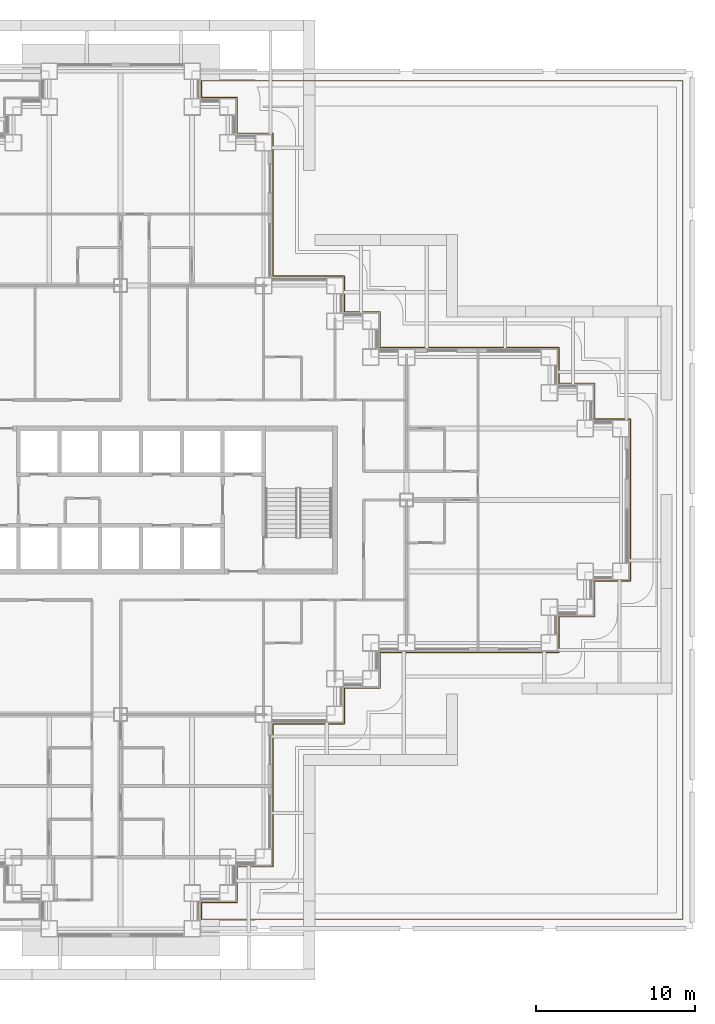
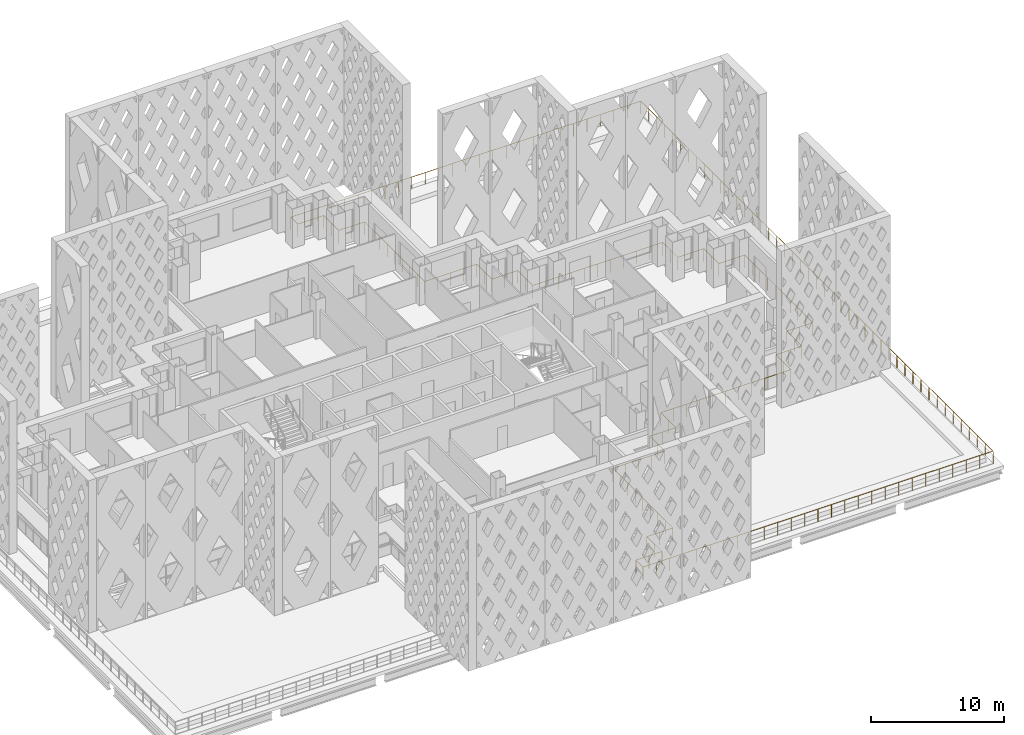
# One storey, part 21 of 26: 1 railing.
"""IFC4 building model written with IfcOpenShell, lengths in metres."""

from ifc_helpers import new_model, si_unit, direction, frame, origin, origin_2d, place, context, subcontext, project, spatial, circle, extrude, material, type_object, element, save


model = new_model("IFC4")

# Units and contexts
model_context = context("Model", 3, precision=1e-05, world=origin(), true_north=direction((0.0, 1.0)))
body_context = subcontext(model_context, "Body", "Model", "MODEL_VIEW")
ifc_project = project(units=[si_unit("LENGTHUNIT", "METRE"), si_unit("AREAUNIT", "SQUARE_METRE"), si_unit("VOLUMEUNIT", "CUBIC_METRE"), si_unit("PLANEANGLEUNIT", "RADIAN"), si_unit("MASSUNIT", "GRAM", prefix="KILO")], contexts=[model_context])

# Site, building, storey
site_placement = place(None, origin())
site = spatial("IfcSite", under=ifc_project, at=site_placement, CompositionType="ELEMENT")
building_placement = place(site_placement, origin())
building = spatial("IfcBuilding", under=site, at=building_placement, Name="Caravel Reach Hotel and Residences", CompositionType="ELEMENT")
storey_placement = place(building_placement, frame((0.0, 0.0, 33.60009765625)))
storey = spatial("IfcBuildingStorey", under=building, at=storey_placement, Name="L06", CompositionType="ELEMENT", Elevation=33.60009765625)

# Railing
ifc_material = material(Name="Stainless steel S30408", Category="steel")
railing_type = type_object("IfcRailingType", Name="G1 Guard 1200 stainless", PredefinedType="GUARDRAIL", material=ifc_material)
railing_placement = place(storey_placement, frame((66.89990234375, 53.39990234375, 0.0)))
element("IfcRailing", 1, at=railing_placement, inside=storey, type_object=railing_type, Name="Guard podium terrace 1", PredefinedType="GUARDRAIL", context=body_context, shape_type="SweptSolid", body=[
    extrude(circle(Radius=0.02392578125, at=origin_2d()), frame((0.0, 0.0, 1.17578125), z_axis=(0.0, -1.0, 0.0), x_axis=(1.0, 0.0, 0.0)), (0.0, 0.0, 1.0), 52.7998046875),
    extrude(circle(Radius=0.02392578125, at=origin_2d()), frame((0.0, -52.7998046875, 1.17578125), z_axis=(-1.0, 0.0, 0.0), x_axis=(0.0, -1.0, 0.0)), (0.0, 0.0, 1.0), 30.2998046875),
    extrude(circle(Radius=0.02392578125, at=origin_2d()), frame((-30.2998046875, -52.7998046875, 1.17578125), z_axis=(0.0, 1.0, 0.0), x_axis=(-1.0, 0.0, 0.0)), (0.0, 0.0, 1.0), 1.0498046875),
    extrude(circle(Radius=0.02392578125, at=origin_2d()), frame((-30.2998046875, -51.75, 1.17578125), z_axis=(1.0, 0.0, 0.0), x_axis=(0.0, 1.0, 0.0)), (0.0, 0.0, 1.0), 2.25),
    extrude(circle(Radius=0.02392578125, at=origin_2d()), frame((-28.0498046875, -51.75, 1.17578125), z_axis=(0.0, 1.0, 0.0), x_axis=(-1.0, 0.0, 0.0)), (0.0, 0.0, 1.0), 2.25),
    extrude(circle(Radius=0.02392578125, at=origin_2d()), frame((-28.0498046875, -49.5, 1.17578125), z_axis=(1.0, 0.0, 0.0), x_axis=(0.0, 1.0, 0.0)), (0.0, 0.0, 1.0), 2.25),
    extrude(circle(Radius=0.02392578125, at=origin_2d()), frame((-25.7998046875, -49.5, 1.17578125), z_axis=(0.0, 1.0, 0.0), x_axis=(-1.0, 0.0, 0.0)), (0.0, 0.0, 1.0), 9.0),
    extrude(circle(Radius=0.02392578125, at=origin_2d()), frame((-25.7998046875, -40.5, 1.17578125), z_axis=(1.0, 0.0, 0.0), x_axis=(0.0, 1.0, 0.0)), (0.0, 0.0, 1.0), 4.5),
    extrude(circle(Radius=0.02392578125, at=origin_2d()), frame((-21.2998046875, -40.5, 1.17578125), z_axis=(0.0, 1.0, 0.0), x_axis=(-1.0, 0.0, 0.0)), (0.0, 0.0, 1.0), 2.25),
    extrude(circle(Radius=0.02392578125, at=origin_2d()), frame((-21.2998046875, -38.25, 1.17578125), z_axis=(1.0, 0.0, 0.0), x_axis=(0.0, 1.0, 0.0)), (0.0, 0.0, 1.0), 2.25),
    extrude(circle(Radius=0.02392578125, at=origin_2d()), frame((-19.0498046875, -38.25, 1.17578125), z_axis=(0.0, 1.0, 0.0), x_axis=(-1.0, 0.0, 0.0)), (0.0, 0.0, 1.0), 2.25),
    extrude(circle(Radius=0.02392578125, at=origin_2d()), frame((-19.0498046875, -36.0, 1.17578125), z_axis=(1.0, 0.0, 0.0), x_axis=(0.0, 1.0, 0.0)), (0.0, 0.0, 1.0), 11.25),
    extrude(circle(Radius=0.02392578125, at=origin_2d()), frame((-7.7998046875, -36.0, 1.17578125), z_axis=(0.0, 1.0, 0.0), x_axis=(-1.0, 0.0, 0.0)), (0.0, 0.0, 1.0), 2.25),
    extrude(circle(Radius=0.02392578125, at=origin_2d()), frame((-7.7998046875, -33.75, 1.17578125), z_axis=(1.0, 0.0, 0.0), x_axis=(0.0, 1.0, 0.0)), (0.0, 0.0, 1.0), 2.25),
    extrude(circle(Radius=0.02392578125, at=origin_2d()), frame((-5.5498046875, -33.75, 1.17578125), z_axis=(0.0, 1.0, 0.0), x_axis=(-1.0, 0.0, 0.0)), (0.0, 0.0, 1.0), 2.25),
    extrude(circle(Radius=0.02392578125, at=origin_2d()), frame((-5.5498046875, -31.5, 1.17578125), z_axis=(1.0, 0.0, 0.0), x_axis=(0.0, 1.0, 0.0)), (0.0, 0.0, 1.0), 2.25),
    extrude(circle(Radius=0.02392578125, at=origin_2d()), frame((-3.2998046875, -31.5, 1.17578125), z_axis=(0.0, 1.0, 0.0), x_axis=(-1.0, 0.0, 0.0)), (0.0, 0.0, 1.0), 10.2001953125),
    extrude(circle(Radius=0.02392578125, at=origin_2d()), frame((-3.2998046875, -21.2998046875, 1.17578125), z_axis=(-1.0, 0.0, 0.0), x_axis=(0.0, -1.0, 0.0)), (0.0, 0.0, 1.0), 2.25),
    extrude(circle(Radius=0.02392578125, at=origin_2d()), frame((-5.5498046875, -21.2998046875, 1.17578125), z_axis=(0.0, 1.0, 0.0), x_axis=(-1.0, 0.0, 0.0)), (0.0, 0.0, 1.0), 2.25),
    extrude(circle(Radius=0.02392578125, at=origin_2d()), frame((-5.5498046875, -19.0498046875, 1.17578125), z_axis=(-1.0, 0.0, 0.0), x_axis=(0.0, -1.0, 0.0)), (0.0, 0.0, 1.0), 2.25),
    extrude(circle(Radius=0.02392578125, at=origin_2d()), frame((-7.7998046875, -19.0498046875, 1.17578125), z_axis=(0.0, 1.0, 0.0), x_axis=(-1.0, 0.0, 0.0)), (0.0, 0.0, 1.0), 2.25),
    extrude(circle(Radius=0.02392578125, at=origin_2d()), frame((-7.7998046875, -16.7998046875, 1.17578125), z_axis=(-1.0, 0.0, 0.0), x_axis=(0.0, -1.0, 0.0)), (0.0, 0.0, 1.0), 11.25),
    extrude(circle(Radius=0.02392578125, at=origin_2d()), frame((-19.0498046875, -16.7998046875, 1.17578125), z_axis=(0.0, 1.0, 0.0), x_axis=(-1.0, 0.0, 0.0)), (0.0, 0.0, 1.0), 2.25),
    extrude(circle(Radius=0.02392578125, at=origin_2d()), frame((-19.0498046875, -14.5498046875, 1.17578125), z_axis=(-1.0, 0.0, 0.0), x_axis=(0.0, -1.0, 0.0)), (0.0, 0.0, 1.0), 2.25),
    extrude(circle(Radius=0.02392578125, at=origin_2d()), frame((-21.2998046875, -14.5498046875, 1.17578125), z_axis=(0.0, 1.0, 0.0), x_axis=(-1.0, 0.0, 0.0)), (0.0, 0.0, 1.0), 2.25),
    extrude(circle(Radius=0.02392578125, at=origin_2d()), frame((-21.2998046875, -12.2998046875, 1.17578125), z_axis=(-1.0, 0.0, 0.0), x_axis=(0.0, -1.0, 0.0)), (0.0, 0.0, 1.0), 4.5),
    extrude(circle(Radius=0.02392578125, at=origin_2d()), frame((-25.7998046875, -12.2998046875, 1.17578125), z_axis=(0.0, 1.0, 0.0), x_axis=(-1.0, 0.0, 0.0)), (0.0, 0.0, 1.0), 9.0),
    extrude(circle(Radius=0.02392578125, at=origin_2d()), frame((-25.7998046875, -3.2998046875, 1.17578125), z_axis=(-1.0, 0.0, 0.0), x_axis=(0.0, -1.0, 0.0)), (0.0, 0.0, 1.0), 2.25),
    extrude(circle(Radius=0.02392578125, at=origin_2d()), frame((-28.0498046875, -3.2998046875, 1.17578125), z_axis=(0.0, 1.0, 0.0), x_axis=(-1.0, 0.0, 0.0)), (0.0, 0.0, 1.0), 2.25),
    extrude(circle(Radius=0.02392578125, at=origin_2d()), frame((-28.0498046875, -1.0498046875, 1.17578125), z_axis=(-1.0, 0.0, 0.0), x_axis=(0.0, -1.0, 0.0)), (0.0, 0.0, 1.0), 2.25),
    extrude(circle(Radius=0.02392578125, at=origin_2d()), frame((-30.2998046875, -1.0498046875, 1.17578125), z_axis=(0.0, 1.0, 0.0), x_axis=(-1.0, 0.0, 0.0)), (0.0, 0.0, 1.0), 1.0498046875),
    extrude(circle(Radius=0.02392578125, at=origin_2d()), frame((-30.2998046875, 0.0, 1.17578125), z_axis=(1.0, 0.0, 0.0), x_axis=(0.0, 1.0, 0.0)), (0.0, 0.0, 1.0), 30.2998046875),
    extrude(circle(Radius=0.02099609375, at=origin_2d()), origin(), (0.0, 0.0, 1.0), 1.15185546875),
    extrude(circle(Radius=0.02099609375, at=origin_2d()), frame((0.0, -1.199951171875, 0.0)), (0.0, 0.0, 1.0), 1.15185546875),
    extrude(circle(Radius=0.02099609375, at=origin_2d()), frame((0.0, -2.39990234375, 0.0)), (0.0, 0.0, 1.0), 1.15185546875),
    extrude(circle(Radius=0.02099609375, at=origin_2d()), frame((0.0, -3.60009765625, 0.0)), (0.0, 0.0, 1.0), 1.15185546875),
    extrude(circle(Radius=0.02099609375, at=origin_2d()), frame((0.0, -4.800048828125, 0.0)), (0.0, 0.0, 1.0), 1.15185546875),
    extrude(circle(Radius=0.02099609375, at=origin_2d()), frame((0.0, -6.0, 0.0)), (0.0, 0.0, 1.0), 1.15185546875),
    extrude(circle(Radius=0.02099609375, at=origin_2d()), frame((0.0, -7.199951171875, 0.0)), (0.0, 0.0, 1.0), 1.15185546875),
    extrude(circle(Radius=0.02099609375, at=origin_2d()), frame((0.0, -8.39990234375, 0.0)), (0.0, 0.0, 1.0), 1.15185546875),
    extrude(circle(Radius=0.02099609375, at=origin_2d()), frame((0.0, -9.599853515625, 0.0)), (0.0, 0.0, 1.0), 1.15185546875),
    extrude(circle(Radius=0.02099609375, at=origin_2d()), frame((0.0, -10.800048828125, 0.0)), (0.0, 0.0, 1.0), 1.15185546875),
    extrude(circle(Radius=0.02099609375, at=origin_2d()), frame((0.0, -12.0, 0.0)), (0.0, 0.0, 1.0), 1.15185546875),
    extrude(circle(Radius=0.02099609375, at=origin_2d()), frame((0.0, -13.199951171875, 0.0)), (0.0, 0.0, 1.0), 1.15185546875),
    extrude(circle(Radius=0.02099609375, at=origin_2d()), frame((0.0, -14.39990234375, 0.0)), (0.0, 0.0, 1.0), 1.15185546875),
    extrude(circle(Radius=0.02099609375, at=origin_2d()), frame((0.0, -15.599853515625, 0.0)), (0.0, 0.0, 1.0), 1.15185546875),
    extrude(circle(Radius=0.02099609375, at=origin_2d()), frame((0.0, -16.800048828125, 0.0)), (0.0, 0.0, 1.0), 1.15185546875),
    extrude(circle(Radius=0.02099609375, at=origin_2d()), frame((0.0, -18.0, 0.0)), (0.0, 0.0, 1.0), 1.15185546875),
    extrude(circle(Radius=0.02099609375, at=origin_2d()), frame((0.0, -19.199951171875, 0.0)), (0.0, 0.0, 1.0), 1.15185546875),
    extrude(circle(Radius=0.02099609375, at=origin_2d()), frame((0.0, -20.39990234375, 0.0)), (0.0, 0.0, 1.0), 1.15185546875),
    extrude(circle(Radius=0.02099609375, at=origin_2d()), frame((0.0, -21.599853515625, 0.0)), (0.0, 0.0, 1.0), 1.15185546875),
    extrude(circle(Radius=0.02099609375, at=origin_2d()), frame((0.0, -22.7998046875, 0.0)), (0.0, 0.0, 1.0), 1.15185546875),
    extrude(circle(Radius=0.02099609375, at=origin_2d()), frame((0.0, -24.0, 0.0)), (0.0, 0.0, 1.0), 1.15185546875),
    extrude(circle(Radius=0.02099609375, at=origin_2d()), frame((0.0, -25.199951171875, 0.0)), (0.0, 0.0, 1.0), 1.15185546875),
    extrude(circle(Radius=0.02099609375, at=origin_2d()), frame((0.0, -26.39990234375, 0.0)), (0.0, 0.0, 1.0), 1.15185546875),
    extrude(circle(Radius=0.02099609375, at=origin_2d()), frame((0.0, -27.599853515625, 0.0)), (0.0, 0.0, 1.0), 1.15185546875),
    extrude(circle(Radius=0.02099609375, at=origin_2d()), frame((0.0, -28.7998046875, 0.0)), (0.0, 0.0, 1.0), 1.15185546875),
    extrude(circle(Radius=0.02099609375, at=origin_2d()), frame((0.0, -30.0, 0.0)), (0.0, 0.0, 1.0), 1.15185546875),
    extrude(circle(Radius=0.02099609375, at=origin_2d()), frame((0.0, -31.199951171875, 0.0)), (0.0, 0.0, 1.0), 1.15185546875),
    extrude(circle(Radius=0.02099609375, at=origin_2d()), frame((0.0, -32.39990234375, 0.0)), (0.0, 0.0, 1.0), 1.15185546875),
    extrude(circle(Radius=0.02099609375, at=origin_2d()), frame((0.0, -33.599853515625, 0.0)), (0.0, 0.0, 1.0), 1.15185546875),
    extrude(circle(Radius=0.02099609375, at=origin_2d()), frame((0.0, -34.7998046875, 0.0)), (0.0, 0.0, 1.0), 1.15185546875),
    extrude(circle(Radius=0.02099609375, at=origin_2d()), frame((0.0, -35.999755859375, 0.0)), (0.0, 0.0, 1.0), 1.15185546875),
    extrude(circle(Radius=0.02099609375, at=origin_2d()), frame((0.0, -37.199951171875, 0.0)), (0.0, 0.0, 1.0), 1.15185546875),
    extrude(circle(Radius=0.02099609375, at=origin_2d()), frame((0.0, -38.39990234375, 0.0)), (0.0, 0.0, 1.0), 1.15185546875),
    extrude(circle(Radius=0.02099609375, at=origin_2d()), frame((0.0, -39.599853515625, 0.0)), (0.0, 0.0, 1.0), 1.15185546875),
    extrude(circle(Radius=0.02099609375, at=origin_2d()), frame((0.0, -40.7998046875, 0.0)), (0.0, 0.0, 1.0), 1.15185546875),
    extrude(circle(Radius=0.02099609375, at=origin_2d()), frame((0.0, -41.999755859375, 0.0)), (0.0, 0.0, 1.0), 1.15185546875),
    extrude(circle(Radius=0.02099609375, at=origin_2d()), frame((0.0, -43.199951171875, 0.0)), (0.0, 0.0, 1.0), 1.15185546875),
    extrude(circle(Radius=0.02099609375, at=origin_2d()), frame((0.0, -44.39990234375, 0.0)), (0.0, 0.0, 1.0), 1.15185546875),
    extrude(circle(Radius=0.02099609375, at=origin_2d()), frame((0.0, -45.599853515625, 0.0)), (0.0, 0.0, 1.0), 1.15185546875),
    extrude(circle(Radius=0.02099609375, at=origin_2d()), frame((0.0, -46.7998046875, 0.0)), (0.0, 0.0, 1.0), 1.15185546875),
    extrude(circle(Radius=0.02099609375, at=origin_2d()), frame((0.0, -47.999755859375, 0.0)), (0.0, 0.0, 1.0), 1.15185546875),
    extrude(circle(Radius=0.02099609375, at=origin_2d()), frame((0.0, -49.19970703125, 0.0)), (0.0, 0.0, 1.0), 1.15185546875),
    extrude(circle(Radius=0.02099609375, at=origin_2d()), frame((0.0, -50.39990234375, 0.0)), (0.0, 0.0, 1.0), 1.15185546875),
    extrude(circle(Radius=0.02099609375, at=origin_2d()), frame((0.0, -51.599853515625, 0.0)), (0.0, 0.0, 1.0), 1.15185546875),
    extrude(circle(Radius=0.02099609375, at=origin_2d()), frame((0.0, -52.7998046875, 0.0)), (0.0, 0.0, 1.0), 1.15185546875),
    extrude(circle(Radius=0.02099609375, at=origin_2d()), frame((-1.165283203125, -52.7998046875, 0.0)), (0.0, 0.0, 1.0), 1.15185546875),
    extrude(circle(Radius=0.02099609375, at=origin_2d()), frame((-2.330810546875, -52.7998046875, 0.0)), (0.0, 0.0, 1.0), 1.15185546875),
    extrude(circle(Radius=0.02099609375, at=origin_2d()), frame((-3.49609375, -52.7998046875, 0.0)), (0.0, 0.0, 1.0), 1.15185546875),
    extrude(circle(Radius=0.02099609375, at=origin_2d()), frame((-4.66162109375, -52.7998046875, 0.0)), (0.0, 0.0, 1.0), 1.15185546875),
    extrude(circle(Radius=0.02099609375, at=origin_2d()), frame((-5.826904296875, -52.7998046875, 0.0)), (0.0, 0.0, 1.0), 1.15185546875),
    extrude(circle(Radius=0.02099609375, at=origin_2d()), frame((-6.9921875, -52.7998046875, 0.0)), (0.0, 0.0, 1.0), 1.15185546875),
    extrude(circle(Radius=0.02099609375, at=origin_2d()), frame((-8.15771484375, -52.7998046875, 0.0)), (0.0, 0.0, 1.0), 1.15185546875),
    extrude(circle(Radius=0.02099609375, at=origin_2d()), frame((-9.322998046875, -52.7998046875, 0.0)), (0.0, 0.0, 1.0), 1.15185546875),
    extrude(circle(Radius=0.02099609375, at=origin_2d()), frame((-10.48828125, -52.7998046875, 0.0)), (0.0, 0.0, 1.0), 1.15185546875),
    extrude(circle(Radius=0.02099609375, at=origin_2d()), frame((-11.65380859375, -52.7998046875, 0.0)), (0.0, 0.0, 1.0), 1.15185546875),
    extrude(circle(Radius=0.02099609375, at=origin_2d()), frame((-12.819091796875, -52.7998046875, 0.0)), (0.0, 0.0, 1.0), 1.15185546875),
    extrude(circle(Radius=0.02099609375, at=origin_2d()), frame((-13.984619140625, -52.7998046875, 0.0)), (0.0, 0.0, 1.0), 1.15185546875),
    extrude(circle(Radius=0.02099609375, at=origin_2d()), frame((-15.14990234375, -52.7998046875, 0.0)), (0.0, 0.0, 1.0), 1.15185546875),
    extrude(circle(Radius=0.02099609375, at=origin_2d()), frame((-16.315185546875, -52.7998046875, 0.0)), (0.0, 0.0, 1.0), 1.15185546875),
    extrude(circle(Radius=0.02099609375, at=origin_2d()), frame((-17.480712890625, -52.7998046875, 0.0)), (0.0, 0.0, 1.0), 1.15185546875),
    extrude(circle(Radius=0.02099609375, at=origin_2d()), frame((-18.64599609375, -52.7998046875, 0.0)), (0.0, 0.0, 1.0), 1.15185546875),
    extrude(circle(Radius=0.02099609375, at=origin_2d()), frame((-19.8115234375, -52.7998046875, 0.0)), (0.0, 0.0, 1.0), 1.15185546875),
    extrude(circle(Radius=0.02099609375, at=origin_2d()), frame((-20.976806640625, -52.7998046875, 0.0)), (0.0, 0.0, 1.0), 1.15185546875),
    extrude(circle(Radius=0.02099609375, at=origin_2d()), frame((-22.14208984375, -52.7998046875, 0.0)), (0.0, 0.0, 1.0), 1.15185546875),
    extrude(circle(Radius=0.02099609375, at=origin_2d()), frame((-23.3076171875, -52.7998046875, 0.0)), (0.0, 0.0, 1.0), 1.15185546875),
    extrude(circle(Radius=0.02099609375, at=origin_2d()), frame((-24.472900390625, -52.7998046875, 0.0)), (0.0, 0.0, 1.0), 1.15185546875),
    extrude(circle(Radius=0.02099609375, at=origin_2d()), frame((-25.63818359375, -52.7998046875, 0.0)), (0.0, 0.0, 1.0), 1.15185546875),
    extrude(circle(Radius=0.02099609375, at=origin_2d()), frame((-26.8037109375, -52.7998046875, 0.0)), (0.0, 0.0, 1.0), 1.15185546875),
    extrude(circle(Radius=0.02099609375, at=origin_2d()), frame((-27.968994140625, -52.7998046875, 0.0)), (0.0, 0.0, 1.0), 1.15185546875),
    extrude(circle(Radius=0.02099609375, at=origin_2d()), frame((-29.134521484375, -52.7998046875, 0.0)), (0.0, 0.0, 1.0), 1.15185546875),
    extrude(circle(Radius=0.02099609375, at=origin_2d()), frame((-30.2998046875, -52.7998046875, 0.0)), (0.0, 0.0, 1.0), 1.15185546875),
    extrude(circle(Radius=0.02099609375, at=origin_2d()), frame((-30.2998046875, -51.75, 0.0)), (0.0, 0.0, 1.0), 1.15185546875),
    extrude(circle(Radius=0.02099609375, at=origin_2d()), frame((-29.1748046875, -51.75, 0.0)), (0.0, 0.0, 1.0), 1.15185546875),
    extrude(circle(Radius=0.02099609375, at=origin_2d()), frame((-28.0498046875, -51.75, 0.0)), (0.0, 0.0, 1.0), 1.15185546875),
    extrude(circle(Radius=0.02099609375, at=origin_2d()), frame((-28.0498046875, -50.625, 0.0)), (0.0, 0.0, 1.0), 1.15185546875),
    extrude(circle(Radius=0.02099609375, at=origin_2d()), frame((-28.0498046875, -49.5, 0.0)), (0.0, 0.0, 1.0), 1.15185546875),
    extrude(circle(Radius=0.02099609375, at=origin_2d()), frame((-26.9248046875, -49.5, 0.0)), (0.0, 0.0, 1.0), 1.15185546875),
    extrude(circle(Radius=0.02099609375, at=origin_2d()), frame((-25.7998046875, -49.5, 0.0)), (0.0, 0.0, 1.0), 1.15185546875),
    extrude(circle(Radius=0.02099609375, at=origin_2d()), frame((-25.7998046875, -48.375, 0.0)), (0.0, 0.0, 1.0), 1.15185546875),
    extrude(circle(Radius=0.02099609375, at=origin_2d()), frame((-25.7998046875, -47.25, 0.0)), (0.0, 0.0, 1.0), 1.15185546875),
    extrude(circle(Radius=0.02099609375, at=origin_2d()), frame((-25.7998046875, -46.125, 0.0)), (0.0, 0.0, 1.0), 1.15185546875),
    extrude(circle(Radius=0.02099609375, at=origin_2d()), frame((-25.7998046875, -45.0, 0.0)), (0.0, 0.0, 1.0), 1.15185546875),
    extrude(circle(Radius=0.02099609375, at=origin_2d()), frame((-25.7998046875, -43.875, 0.0)), (0.0, 0.0, 1.0), 1.15185546875),
    extrude(circle(Radius=0.02099609375, at=origin_2d()), frame((-25.7998046875, -42.75, 0.0)), (0.0, 0.0, 1.0), 1.15185546875),
    extrude(circle(Radius=0.02099609375, at=origin_2d()), frame((-25.7998046875, -41.625, 0.0)), (0.0, 0.0, 1.0), 1.15185546875),
    extrude(circle(Radius=0.02099609375, at=origin_2d()), frame((-25.7998046875, -40.5, 0.0)), (0.0, 0.0, 1.0), 1.15185546875),
    extrude(circle(Radius=0.02099609375, at=origin_2d()), frame((-24.6748046875, -40.5, 0.0)), (0.0, 0.0, 1.0), 1.15185546875),
    extrude(circle(Radius=0.02099609375, at=origin_2d()), frame((-23.5498046875, -40.5, 0.0)), (0.0, 0.0, 1.0), 1.15185546875),
    extrude(circle(Radius=0.02099609375, at=origin_2d()), frame((-22.4248046875, -40.5, 0.0)), (0.0, 0.0, 1.0), 1.15185546875),
    extrude(circle(Radius=0.02099609375, at=origin_2d()), frame((-21.2998046875, -40.5, 0.0)), (0.0, 0.0, 1.0), 1.15185546875),
    extrude(circle(Radius=0.02099609375, at=origin_2d()), frame((-21.2998046875, -39.375, 0.0)), (0.0, 0.0, 1.0), 1.15185546875),
    extrude(circle(Radius=0.02099609375, at=origin_2d()), frame((-21.2998046875, -38.25, 0.0)), (0.0, 0.0, 1.0), 1.15185546875),
    extrude(circle(Radius=0.02099609375, at=origin_2d()), frame((-20.1748046875, -38.25, 0.0)), (0.0, 0.0, 1.0), 1.15185546875),
    extrude(circle(Radius=0.02099609375, at=origin_2d()), frame((-19.0498046875, -38.25, 0.0)), (0.0, 0.0, 1.0), 1.15185546875),
    extrude(circle(Radius=0.02099609375, at=origin_2d()), frame((-19.0498046875, -37.125, 0.0)), (0.0, 0.0, 1.0), 1.15185546875),
    extrude(circle(Radius=0.02099609375, at=origin_2d()), frame((-19.0498046875, -36.0, 0.0)), (0.0, 0.0, 1.0), 1.15185546875),
    extrude(circle(Radius=0.02099609375, at=origin_2d()), frame((-17.9248046875, -36.0, 0.0)), (0.0, 0.0, 1.0), 1.15185546875),
    extrude(circle(Radius=0.02099609375, at=origin_2d()), frame((-16.7998046875, -36.0, 0.0)), (0.0, 0.0, 1.0), 1.15185546875),
    extrude(circle(Radius=0.02099609375, at=origin_2d()), frame((-15.6748046875, -36.0, 0.0)), (0.0, 0.0, 1.0), 1.15185546875),
    extrude(circle(Radius=0.02099609375, at=origin_2d()), frame((-14.5498046875, -36.0, 0.0)), (0.0, 0.0, 1.0), 1.15185546875),
    extrude(circle(Radius=0.02099609375, at=origin_2d()), frame((-13.4248046875, -36.0, 0.0)), (0.0, 0.0, 1.0), 1.15185546875),
    extrude(circle(Radius=0.02099609375, at=origin_2d()), frame((-12.2998046875, -36.0, 0.0)), (0.0, 0.0, 1.0), 1.15185546875),
    extrude(circle(Radius=0.02099609375, at=origin_2d()), frame((-11.1748046875, -36.0, 0.0)), (0.0, 0.0, 1.0), 1.15185546875),
    extrude(circle(Radius=0.02099609375, at=origin_2d()), frame((-10.0498046875, -36.0, 0.0)), (0.0, 0.0, 1.0), 1.15185546875),
    extrude(circle(Radius=0.02099609375, at=origin_2d()), frame((-8.9248046875, -36.0, 0.0)), (0.0, 0.0, 1.0), 1.15185546875),
    extrude(circle(Radius=0.02099609375, at=origin_2d()), frame((-7.7998046875, -36.0, 0.0)), (0.0, 0.0, 1.0), 1.15185546875),
    extrude(circle(Radius=0.02099609375, at=origin_2d()), frame((-7.7998046875, -34.875, 0.0)), (0.0, 0.0, 1.0), 1.15185546875),
    extrude(circle(Radius=0.02099609375, at=origin_2d()), frame((-7.7998046875, -33.75, 0.0)), (0.0, 0.0, 1.0), 1.15185546875),
    extrude(circle(Radius=0.02099609375, at=origin_2d()), frame((-6.6748046875, -33.75, 0.0)), (0.0, 0.0, 1.0), 1.15185546875),
    extrude(circle(Radius=0.02099609375, at=origin_2d()), frame((-5.5498046875, -33.75, 0.0)), (0.0, 0.0, 1.0), 1.15185546875),
    extrude(circle(Radius=0.02099609375, at=origin_2d()), frame((-5.5498046875, -32.625, 0.0)), (0.0, 0.0, 1.0), 1.15185546875),
    extrude(circle(Radius=0.02099609375, at=origin_2d()), frame((-5.5498046875, -31.5, 0.0)), (0.0, 0.0, 1.0), 1.15185546875),
    extrude(circle(Radius=0.02099609375, at=origin_2d()), frame((-4.4248046875, -31.5, 0.0)), (0.0, 0.0, 1.0), 1.15185546875),
    extrude(circle(Radius=0.02099609375, at=origin_2d()), frame((-3.2998046875, -31.5, 0.0)), (0.0, 0.0, 1.0), 1.15185546875),
    extrude(circle(Radius=0.02099609375, at=origin_2d()), frame((-3.2998046875, -30.36669921875, 0.0)), (0.0, 0.0, 1.0), 1.15185546875),
    extrude(circle(Radius=0.02099609375, at=origin_2d()), frame((-3.2998046875, -29.2333984375, 0.0)), (0.0, 0.0, 1.0), 1.15185546875),
    extrude(circle(Radius=0.02099609375, at=origin_2d()), frame((-3.2998046875, -28.099853515625, 0.0)), (0.0, 0.0, 1.0), 1.15185546875),
    extrude(circle(Radius=0.02099609375, at=origin_2d()), frame((-3.2998046875, -26.966552734375, 0.0)), (0.0, 0.0, 1.0), 1.15185546875),
    extrude(circle(Radius=0.02099609375, at=origin_2d()), frame((-3.2998046875, -25.833251953125, 0.0)), (0.0, 0.0, 1.0), 1.15185546875),
    extrude(circle(Radius=0.02099609375, at=origin_2d()), frame((-3.2998046875, -24.699951171875, 0.0)), (0.0, 0.0, 1.0), 1.15185546875),
    extrude(circle(Radius=0.02099609375, at=origin_2d()), frame((-3.2998046875, -23.56640625, 0.0)), (0.0, 0.0, 1.0), 1.15185546875),
    extrude(circle(Radius=0.02099609375, at=origin_2d()), frame((-3.2998046875, -22.43310546875, 0.0)), (0.0, 0.0, 1.0), 1.15185546875),
    extrude(circle(Radius=0.02099609375, at=origin_2d()), frame((-3.2998046875, -21.2998046875, 0.0)), (0.0, 0.0, 1.0), 1.15185546875),
    extrude(circle(Radius=0.02099609375, at=origin_2d()), frame((-4.4248046875, -21.2998046875, 0.0)), (0.0, 0.0, 1.0), 1.15185546875),
    extrude(circle(Radius=0.02099609375, at=origin_2d()), frame((-5.5498046875, -21.2998046875, 0.0)), (0.0, 0.0, 1.0), 1.15185546875),
    extrude(circle(Radius=0.02099609375, at=origin_2d()), frame((-5.5498046875, -20.1748046875, 0.0)), (0.0, 0.0, 1.0), 1.15185546875),
    extrude(circle(Radius=0.02099609375, at=origin_2d()), frame((-5.5498046875, -19.0498046875, 0.0)), (0.0, 0.0, 1.0), 1.15185546875),
    extrude(circle(Radius=0.02099609375, at=origin_2d()), frame((-6.6748046875, -19.0498046875, 0.0)), (0.0, 0.0, 1.0), 1.15185546875),
    extrude(circle(Radius=0.02099609375, at=origin_2d()), frame((-7.7998046875, -19.0498046875, 0.0)), (0.0, 0.0, 1.0), 1.15185546875),
    extrude(circle(Radius=0.02099609375, at=origin_2d()), frame((-7.7998046875, -17.9248046875, 0.0)), (0.0, 0.0, 1.0), 1.15185546875),
    extrude(circle(Radius=0.02099609375, at=origin_2d()), frame((-7.7998046875, -16.7998046875, 0.0)), (0.0, 0.0, 1.0), 1.15185546875),
    extrude(circle(Radius=0.02099609375, at=origin_2d()), frame((-8.9248046875, -16.7998046875, 0.0)), (0.0, 0.0, 1.0), 1.15185546875),
    extrude(circle(Radius=0.02099609375, at=origin_2d()), frame((-10.0498046875, -16.7998046875, 0.0)), (0.0, 0.0, 1.0), 1.15185546875),
    extrude(circle(Radius=0.02099609375, at=origin_2d()), frame((-11.1748046875, -16.7998046875, 0.0)), (0.0, 0.0, 1.0), 1.15185546875),
    extrude(circle(Radius=0.02099609375, at=origin_2d()), frame((-12.2998046875, -16.7998046875, 0.0)), (0.0, 0.0, 1.0), 1.15185546875),
    extrude(circle(Radius=0.02099609375, at=origin_2d()), frame((-13.4248046875, -16.7998046875, 0.0)), (0.0, 0.0, 1.0), 1.15185546875),
    extrude(circle(Radius=0.02099609375, at=origin_2d()), frame((-14.5498046875, -16.7998046875, 0.0)), (0.0, 0.0, 1.0), 1.15185546875),
    extrude(circle(Radius=0.02099609375, at=origin_2d()), frame((-15.6748046875, -16.7998046875, 0.0)), (0.0, 0.0, 1.0), 1.15185546875),
    extrude(circle(Radius=0.02099609375, at=origin_2d()), frame((-16.7998046875, -16.7998046875, 0.0)), (0.0, 0.0, 1.0), 1.15185546875),
    extrude(circle(Radius=0.02099609375, at=origin_2d()), frame((-17.9248046875, -16.7998046875, 0.0)), (0.0, 0.0, 1.0), 1.15185546875),
    extrude(circle(Radius=0.02099609375, at=origin_2d()), frame((-19.0498046875, -16.7998046875, 0.0)), (0.0, 0.0, 1.0), 1.15185546875),
    extrude(circle(Radius=0.02099609375, at=origin_2d()), frame((-19.0498046875, -15.6748046875, 0.0)), (0.0, 0.0, 1.0), 1.15185546875),
    extrude(circle(Radius=0.02099609375, at=origin_2d()), frame((-19.0498046875, -14.5498046875, 0.0)), (0.0, 0.0, 1.0), 1.15185546875),
    extrude(circle(Radius=0.02099609375, at=origin_2d()), frame((-20.1748046875, -14.5498046875, 0.0)), (0.0, 0.0, 1.0), 1.15185546875),
    extrude(circle(Radius=0.02099609375, at=origin_2d()), frame((-21.2998046875, -14.5498046875, 0.0)), (0.0, 0.0, 1.0), 1.15185546875),
    extrude(circle(Radius=0.02099609375, at=origin_2d()), frame((-21.2998046875, -13.4248046875, 0.0)), (0.0, 0.0, 1.0), 1.15185546875),
    extrude(circle(Radius=0.02099609375, at=origin_2d()), frame((-21.2998046875, -12.2998046875, 0.0)), (0.0, 0.0, 1.0), 1.15185546875),
    extrude(circle(Radius=0.02099609375, at=origin_2d()), frame((-22.4248046875, -12.2998046875, 0.0)), (0.0, 0.0, 1.0), 1.15185546875),
    extrude(circle(Radius=0.02099609375, at=origin_2d()), frame((-23.5498046875, -12.2998046875, 0.0)), (0.0, 0.0, 1.0), 1.15185546875),
    extrude(circle(Radius=0.02099609375, at=origin_2d()), frame((-24.6748046875, -12.2998046875, 0.0)), (0.0, 0.0, 1.0), 1.15185546875),
    extrude(circle(Radius=0.02099609375, at=origin_2d()), frame((-25.7998046875, -12.2998046875, 0.0)), (0.0, 0.0, 1.0), 1.15185546875),
    extrude(circle(Radius=0.02099609375, at=origin_2d()), frame((-25.7998046875, -11.1748046875, 0.0)), (0.0, 0.0, 1.0), 1.15185546875),
    extrude(circle(Radius=0.02099609375, at=origin_2d()), frame((-25.7998046875, -10.0498046875, 0.0)), (0.0, 0.0, 1.0), 1.15185546875),
    extrude(circle(Radius=0.02099609375, at=origin_2d()), frame((-25.7998046875, -8.9248046875, 0.0)), (0.0, 0.0, 1.0), 1.15185546875),
    extrude(circle(Radius=0.02099609375, at=origin_2d()), frame((-25.7998046875, -7.7998046875, 0.0)), (0.0, 0.0, 1.0), 1.15185546875),
    extrude(circle(Radius=0.02099609375, at=origin_2d()), frame((-25.7998046875, -6.6748046875, 0.0)), (0.0, 0.0, 1.0), 1.15185546875),
    extrude(circle(Radius=0.02099609375, at=origin_2d()), frame((-25.7998046875, -5.5498046875, 0.0)), (0.0, 0.0, 1.0), 1.15185546875),
    extrude(circle(Radius=0.02099609375, at=origin_2d()), frame((-25.7998046875, -4.4248046875, 0.0)), (0.0, 0.0, 1.0), 1.15185546875),
    extrude(circle(Radius=0.02099609375, at=origin_2d()), frame((-25.7998046875, -3.2998046875, 0.0)), (0.0, 0.0, 1.0), 1.15185546875),
    extrude(circle(Radius=0.02099609375, at=origin_2d()), frame((-26.9248046875, -3.2998046875, 0.0)), (0.0, 0.0, 1.0), 1.15185546875),
    extrude(circle(Radius=0.02099609375, at=origin_2d()), frame((-28.0498046875, -3.2998046875, 0.0)), (0.0, 0.0, 1.0), 1.15185546875),
    extrude(circle(Radius=0.02099609375, at=origin_2d()), frame((-28.0498046875, -2.1748046875, 0.0)), (0.0, 0.0, 1.0), 1.15185546875),
    extrude(circle(Radius=0.02099609375, at=origin_2d()), frame((-28.0498046875, -1.0498046875, 0.0)), (0.0, 0.0, 1.0), 1.15185546875),
    extrude(circle(Radius=0.02099609375, at=origin_2d()), frame((-29.1748046875, -1.0498046875, 0.0)), (0.0, 0.0, 1.0), 1.15185546875),
    extrude(circle(Radius=0.02099609375, at=origin_2d()), frame((-30.2998046875, -1.0498046875, 0.0)), (0.0, 0.0, 1.0), 1.15185546875),
    extrude(circle(Radius=0.02099609375, at=origin_2d()), frame((-30.2998046875, 0.0, 0.0)), (0.0, 0.0, 1.0), 1.15185546875),
    extrude(circle(Radius=0.02099609375, at=origin_2d()), frame((-29.134521484375, 0.0, 0.0)), (0.0, 0.0, 1.0), 1.15185546875),
    extrude(circle(Radius=0.02099609375, at=origin_2d()), frame((-27.968994140625, 0.0, 0.0)), (0.0, 0.0, 1.0), 1.15185546875),
    extrude(circle(Radius=0.02099609375, at=origin_2d()), frame((-26.8037109375, 0.0, 0.0)), (0.0, 0.0, 1.0), 1.15185546875),
    extrude(circle(Radius=0.02099609375, at=origin_2d()), frame((-25.63818359375, 0.0, 0.0)), (0.0, 0.0, 1.0), 1.15185546875),
    extrude(circle(Radius=0.02099609375, at=origin_2d()), frame((-24.472900390625, 0.0, 0.0)), (0.0, 0.0, 1.0), 1.15185546875),
    extrude(circle(Radius=0.02099609375, at=origin_2d()), frame((-23.3076171875, 0.0, 0.0)), (0.0, 0.0, 1.0), 1.15185546875),
    extrude(circle(Radius=0.02099609375, at=origin_2d()), frame((-22.14208984375, 0.0, 0.0)), (0.0, 0.0, 1.0), 1.15185546875),
    extrude(circle(Radius=0.02099609375, at=origin_2d()), frame((-20.976806640625, 0.0, 0.0)), (0.0, 0.0, 1.0), 1.15185546875),
    extrude(circle(Radius=0.02099609375, at=origin_2d()), frame((-19.8115234375, 0.0, 0.0)), (0.0, 0.0, 1.0), 1.15185546875),
    extrude(circle(Radius=0.02099609375, at=origin_2d()), frame((-18.64599609375, 0.0, 0.0)), (0.0, 0.0, 1.0), 1.15185546875),
    extrude(circle(Radius=0.02099609375, at=origin_2d()), frame((-17.480712890625, 0.0, 0.0)), (0.0, 0.0, 1.0), 1.15185546875),
    extrude(circle(Radius=0.02099609375, at=origin_2d()), frame((-16.315185546875, 0.0, 0.0)), (0.0, 0.0, 1.0), 1.15185546875),
    extrude(circle(Radius=0.02099609375, at=origin_2d()), frame((-15.14990234375, 0.0, 0.0)), (0.0, 0.0, 1.0), 1.15185546875),
    extrude(circle(Radius=0.02099609375, at=origin_2d()), frame((-13.984619140625, 0.0, 0.0)), (0.0, 0.0, 1.0), 1.15185546875),
    extrude(circle(Radius=0.02099609375, at=origin_2d()), frame((-12.819091796875, 0.0, 0.0)), (0.0, 0.0, 1.0), 1.15185546875),
    extrude(circle(Radius=0.02099609375, at=origin_2d()), frame((-11.65380859375, 0.0, 0.0)), (0.0, 0.0, 1.0), 1.15185546875),
    extrude(circle(Radius=0.02099609375, at=origin_2d()), frame((-10.48828125, 0.0, 0.0)), (0.0, 0.0, 1.0), 1.15185546875),
    extrude(circle(Radius=0.02099609375, at=origin_2d()), frame((-9.322998046875, 0.0, 0.0)), (0.0, 0.0, 1.0), 1.15185546875),
    extrude(circle(Radius=0.02099609375, at=origin_2d()), frame((-8.15771484375, 0.0, 0.0)), (0.0, 0.0, 1.0), 1.15185546875),
    extrude(circle(Radius=0.02099609375, at=origin_2d()), frame((-6.9921875, 0.0, 0.0)), (0.0, 0.0, 1.0), 1.15185546875),
    extrude(circle(Radius=0.02099609375, at=origin_2d()), frame((-5.826904296875, 0.0, 0.0)), (0.0, 0.0, 1.0), 1.15185546875),
    extrude(circle(Radius=0.02099609375, at=origin_2d()), frame((-4.66162109375, 0.0, 0.0)), (0.0, 0.0, 1.0), 1.15185546875),
    extrude(circle(Radius=0.02099609375, at=origin_2d()), frame((-3.49609375, 0.0, 0.0)), (0.0, 0.0, 1.0), 1.15185546875),
    extrude(circle(Radius=0.02099609375, at=origin_2d()), frame((-2.330810546875, 0.0, 0.0)), (0.0, 0.0, 1.0), 1.15185546875),
    extrude(circle(Radius=0.02099609375, at=origin_2d()), frame((-1.165283203125, 0.0, 0.0)), (0.0, 0.0, 1.0), 1.15185546875),
])

save(model, "model.ifc")
